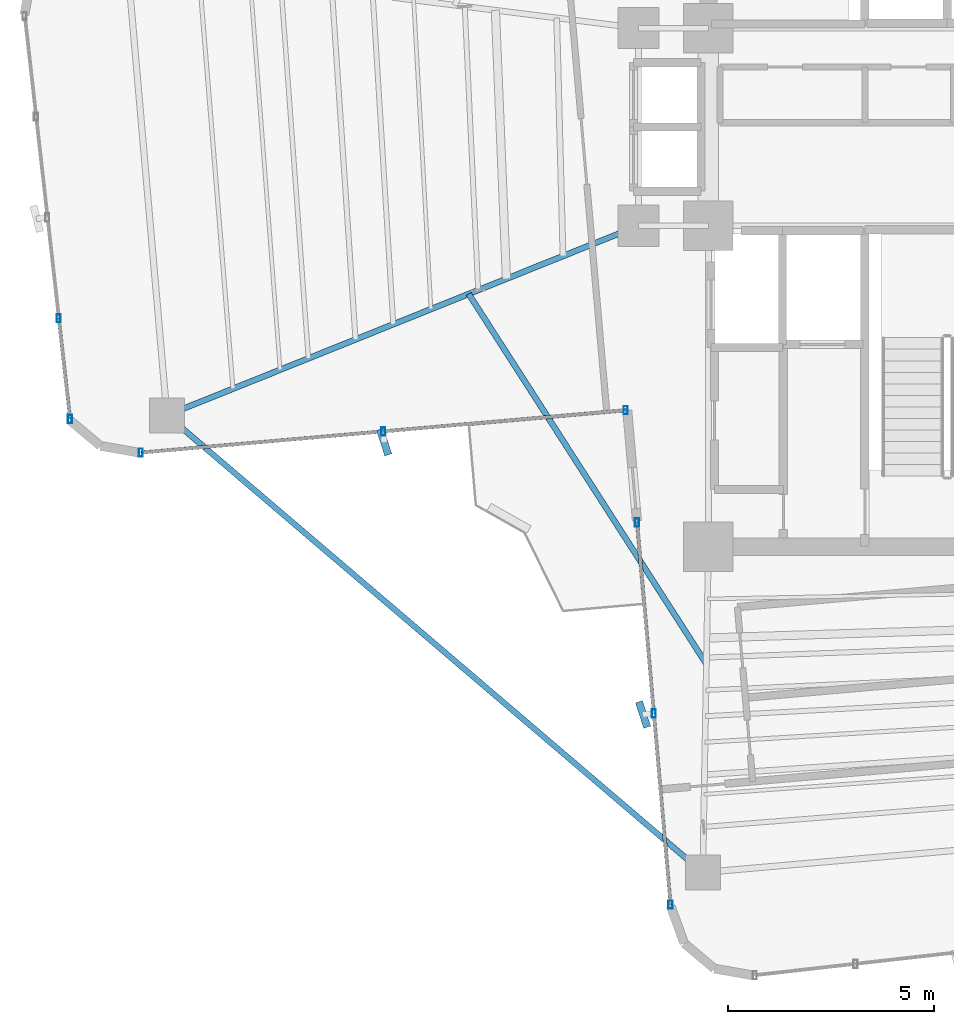
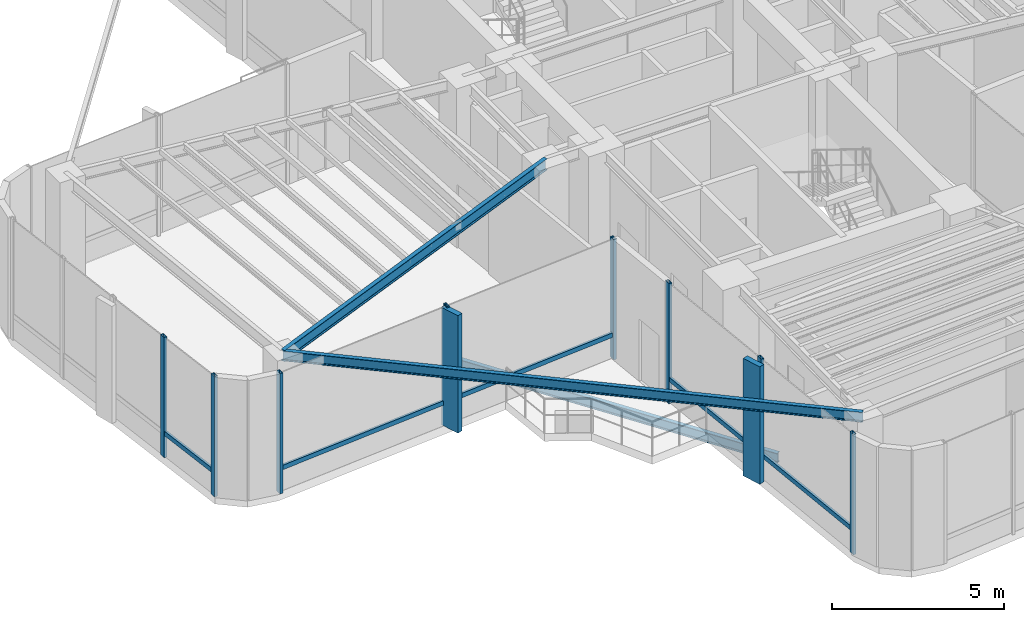
# One storey, part 2 of 19: 15 members, 3 beams, 3 elements without a shape of their own.
"""IFC4 building model written with IfcOpenShell, lengths in metres."""

import ifcopenshell
import ifcopenshell.guid

model = None  # the IFC model being written
_history = None  # IfcOwnerHistory: only IFC2X3 demands one
_inside = {}  # id of a spatial element -> (the spatial element, [elements in it])
_under = {}  # id of a project, library or spatial element -> (it, [spatial elements below it])
_declared = {}  # id of a project -> (the project, [libraries it declares])
_typed = {}  # id of a type object -> (the type object, [elements of that type])
_made_of = {}  # id of a material, layer set ... -> (it, [elements and type objects made of it])


def new_model(schema):
    """Start an empty IFC model of exactly this schema.

    Asked for "IFC4X3", IfcOpenShell would pick the latest addendum, in which some entities
    have other attributes; the version numbers below select the first issue.
    IFC2X3 requires an IfcOwnerHistory on every rooted entity: one is made here for all.
    """
    global model, _history
    if schema == "IFC4X3":
        model = ifcopenshell.file(schema_version=(4, 3, 0, 0))
    else:
        model = ifcopenshell.file(schema=schema)
    _inside.clear()
    _under.clear()
    _declared.clear()
    _typed.clear()
    _made_of.clear()
    _history = None
    if model.schema == "IFC2X3":
        org = make("IfcOrganization", Name="unknown")
        user = make(
            "IfcPersonAndOrganization",
            ThePerson=make("IfcPerson", FamilyName="unknown"),
            TheOrganization=org,
        )
        app = make(
            "IfcApplication",
            ApplicationDeveloper=org,
            Version="unknown",
            ApplicationFullName="unknown",
            ApplicationIdentifier="unknown",
        )
        _history = make(
            "IfcOwnerHistory",
            OwningUser=user,
            OwningApplication=app,
            ChangeAction="ADDED",
            CreationDate=0,
        )
    return model


def make(cls, **values):
    """One entity of the class cls with the attributes given. An attribute that is None is left unset."""
    return model.create_entity(
        cls, **{name: value for name, value in values.items() if value is not None}
    )


def rooted(cls, **values):
    """An entity with a GlobalId (a new one), such as an element, a storey or a relation."""
    return make(cls, GlobalId=ifcopenshell.guid.new(), OwnerHistory=_history, **values)


def si_unit(unit_type, name, prefix=None):
    """IfcSIUnit, for example si_unit("LENGTHUNIT", "METRE", prefix="MILLI")."""
    return make("IfcSIUnit", UnitType=unit_type, Prefix=prefix, Name=name)


def assignment(units):
    """IfcUnitAssignment: the units of a project."""
    return None if units is None else make("IfcUnitAssignment", Units=units)


def point(xyz):
    """IfcCartesianPoint."""
    return None if xyz is None else make("IfcCartesianPoint", Coordinates=xyz)


def direction(xyz):
    """IfcDirection."""
    return None if xyz is None else make("IfcDirection", DirectionRatios=xyz)


def frame(location, z_axis=None, x_axis=None):
    """IfcAxis2Placement3D, a coordinate frame: its origin and axes. An axis left out is left unset."""
    return make(
        "IfcAxis2Placement3D",
        Location=point(location),
        Axis=direction(z_axis),
        RefDirection=direction(x_axis),
    )


def frame_2d(location, x_axis=None):
    """IfcAxis2Placement2D, a coordinate frame in the plane: its origin and x axis."""
    return make(
        "IfcAxis2Placement2D", Location=point(location), RefDirection=direction(x_axis)
    )


def origin():
    """The frame at (0, 0, 0) with its axes left unset."""
    return frame((0.0, 0.0, 0.0))


def origin_2d():
    """The frame at (0, 0) in the plane with its x axis left unset."""
    return frame_2d((0.0, 0.0))


def place(relative_to, where):
    """IfcLocalPlacement: puts the frame where relative to a parent placement (None: the world)."""
    return make(
        "IfcLocalPlacement", PlacementRelTo=relative_to, RelativePlacement=where
    )


def context(
    kind, dimensions, precision=None, world=None, true_north=None, identifier=None
):
    """IfcGeometricRepresentationContext, for example the 3D "Model" context."""
    return make(
        "IfcGeometricRepresentationContext",
        ContextIdentifier=identifier,
        ContextType=kind,
        CoordinateSpaceDimension=dimensions,
        Precision=precision,
        WorldCoordinateSystem=world,
        TrueNorth=true_north,
    )


def subcontext(parent, identifier, kind, view, scale=None):
    """IfcGeometricRepresentationSubContext, for example "Body" below "Model"."""
    return make(
        "IfcGeometricRepresentationSubContext",
        ContextIdentifier=identifier,
        ContextType=kind,
        ParentContext=parent,
        TargetScale=scale,
        TargetView=view,
    )


def project(units=None, contexts=None):
    """IfcProject with its units and contexts."""
    return rooted(
        "IfcProject",
        Name="project",
        RepresentationContexts=contexts,
        UnitsInContext=assignment(units),
    )


def spatial(cls, under=None, at=None, **own):
    """A site, building, storey or space (cls), placed at a placement, below another one or the project."""
    s = rooted(cls, ObjectPlacement=at, **own)
    if under is not None:
        _under.setdefault(under.id(), (under, []))[1].append(s)
    return s


def profile(cls, at=None, kind="AREA", **sizes):
    """A parametric profile (cls). Its sizes go by their IFC names, for example OverallWidth=200.0."""
    return make(cls, ProfileType=kind, Position=at, **sizes)


def rectangle(**sizes):
    """IfcRectangleProfileDef."""
    return profile("IfcRectangleProfileDef", **sizes)


def hollow_rectangle(**sizes):
    """IfcRectangleHollowProfileDef."""
    return profile("IfcRectangleHollowProfileDef", **sizes)


def i_section(**sizes):
    """IfcIShapeProfileDef."""
    return profile("IfcIShapeProfileDef", **sizes)


def extrude(swept, where, along, depth):
    """IfcExtrudedAreaSolid: the profile swept, set in the frame where, extruded along a direction by depth."""
    return make(
        "IfcExtrudedAreaSolid",
        SweptArea=swept,
        Position=where,
        ExtrudedDirection=direction(along),
        Depth=depth,
    )


def shape(context_of_items, identifier, shape_type, items):
    """IfcShapeRepresentation: the items that make up one representation, for example the "Body"."""
    return make(
        "IfcShapeRepresentation",
        ContextOfItems=context_of_items,
        RepresentationIdentifier=identifier,
        RepresentationType=shape_type,
        Items=items,
    )


def source(mapping_origin, context_of_items, identifier, shape_type, items):
    """IfcRepresentationMap: a shape defined once, which mapped items show again and again."""
    return make(
        "IfcRepresentationMap",
        MappingOrigin=mapping_origin,
        MappedRepresentation=shape(context_of_items, identifier, shape_type, items),
    )


def transform(
    local_origin,
    x_axis=None,
    y_axis=None,
    z_axis=None,
    scale=None,
    scale2=None,
    scale3=None,
    uniform=True,
):
    """IfcCartesianTransformationOperator3D, or its non-uniform kind. x_axis, y_axis, z_axis: its Axis1, 2, 3."""
    if uniform:
        return make(
            "IfcCartesianTransformationOperator3D",
            Axis1=direction(x_axis),
            Axis2=direction(y_axis),
            LocalOrigin=point(local_origin),
            Scale=scale,
            Axis3=direction(z_axis),
        )
    return make(
        "IfcCartesianTransformationOperator3DnonUniform",
        Axis1=direction(x_axis),
        Axis2=direction(y_axis),
        LocalOrigin=point(local_origin),
        Scale=scale,
        Axis3=direction(z_axis),
        Scale2=scale2,
        Scale3=scale3,
    )


def mapped(mapping_source, mapping_target):
    """IfcMappedItem: shows the shape of a source again, moved by a transform."""
    return make(
        "IfcMappedItem", MappingSource=mapping_source, MappingTarget=mapping_target
    )


def material(Name=None, Category=None):
    """IfcMaterial."""
    return make("IfcMaterial", Name=Name, Category=Category)


def material_profile(
    of_material, cross_section, Name=None, Category=None, Priority=None
):
    """IfcMaterialProfile: a cross section and its material."""
    return make(
        "IfcMaterialProfile",
        Name=Name,
        Material=of_material,
        Profile=cross_section,
        Priority=Priority,
        Category=Category,
    )


def profile_set(profiles, Name=None, composite=None):
    """IfcMaterialProfileSet."""
    return make(
        "IfcMaterialProfileSet",
        Name=Name,
        MaterialProfiles=profiles,
        CompositeProfile=composite,
    )


def made_of(thing, what):
    """Note that an element or type object is made of a material, layer set ...; save() writes the relation."""
    if what is not None:
        _made_of.setdefault(what.id(), (what, []))[1].append(thing)
    return thing


def type_object(cls, material=None, **own):
    """A type object (cls), such as IfcWallType, which elements share."""
    return made_of(rooted(cls, **own), material)


def element(
    cls,
    number,
    at=None,
    inside=None,
    cuts=None,
    type_object=None,
    material=None,
    context=None,
    identifier="Body",
    shape_type=None,
    held_by="IfcProductDefinitionShape",
    body=None,
    shapes=None,
    **own,
):
    """One element of the class cls, such as IfcWall. Its Tag is "e" and its number.

    at: its placement. inside: the storey or other place that contains it. cuts: it is an
    opening in that element (IfcRelVoidsElement). A single representation is given by context,
    identifier, shape_type and body (its items); several are given by shapes. held_by: the class
    of the entity that holds the representations. save() writes the other relations.
    """
    e = rooted(cls, Tag="e%d" % number, ObjectPlacement=at, **own)
    if body is not None:
        shapes = [shape(context, identifier, shape_type, body)]
    if shapes is not None:
        e.Representation = make(held_by, Representations=shapes)
    if inside is not None:
        _inside.setdefault(inside.id(), (inside, []))[1].append(e)
    if cuts is not None:
        rooted(
            "IfcRelVoidsElement", RelatingBuildingElement=cuts, RelatedOpeningElement=e
        )
    if type_object is not None:
        _typed.setdefault(type_object.id(), (type_object, []))[1].append(e)
    return made_of(e, material)


def aggregate(whole, parts):
    """IfcRelAggregates: a whole, such as a stair, and the parts it consists of."""
    return rooted("IfcRelAggregates", RelatingObject=whole, RelatedObjects=parts)


def save(model, path):
    """Write the relations noted so far, then the file.

    IfcRelAggregates (storeys below a building ...), IfcRelContainedInSpatialStructure (elements
    in a storey), IfcRelDefinesByType, IfcRelAssociatesMaterial and IfcRelDeclares: one each for
    every whole, place, type object, material and project.
    """
    for whole, parts in _under.values():
        aggregate(whole, parts)
    for where, things in _inside.values():
        rooted(
            "IfcRelContainedInSpatialStructure",
            RelatedElements=things,
            RelatingStructure=where,
        )
    for kind, things in _typed.values():
        rooted("IfcRelDefinesByType", RelatedObjects=things, RelatingType=kind)
    for what, things in _made_of.values():
        rooted("IfcRelAssociatesMaterial", RelatedObjects=things, RelatingMaterial=what)
    for by, libraries in _declared.values():
        rooted("IfcRelDeclares", RelatingContext=by, RelatedDefinitions=libraries)
    model.write(path)


model = new_model("IFC4")

# Units and contexts
model_context = context("Model", 3, precision=1e-05, world=origin(), true_north=direction((0.0, 1.0)))
body_context = subcontext(model_context, "Body", "Model", "MODEL_VIEW")
ifc_project = project(units=[si_unit("LENGTHUNIT", "METRE"), si_unit("AREAUNIT", "SQUARE_METRE"), si_unit("VOLUMEUNIT", "CUBIC_METRE"), si_unit("PLANEANGLEUNIT", "RADIAN"), si_unit("MASSUNIT", "GRAM", prefix="KILO")], contexts=[model_context])

# Site, building, storey
site_placement = place(None, origin())
site = spatial("IfcSite", under=ifc_project, at=site_placement, CompositionType="ELEMENT")
building_placement = place(site_placement, origin())
building = spatial("IfcBuilding", under=site, at=building_placement, Name="Sahyath Konkavel Grand Hotel", CompositionType="ELEMENT")
storey_placement = place(building_placement, frame((0.0, 0.0, 170.699951171875)))
storey = spatial("IfcBuildingStorey", under=building, at=storey_placement, Name="L47", CompositionType="ELEMENT", Elevation=170.699951171875)

# Beams
ifc_material_1 = material(Name="Steel E350", Category="steel")
ifc_material_profile_1 = material_profile(ifc_material_1, i_section(OverallWidth=0.139892578125, OverallDepth=0.39990234375, WebThickness=0.0087890625, FlangeThickness=0.01611328125, FilletRadius=0.013916015625, at=origin_2d()), Name="ISMB 400")
ifc_profile_set_1 = profile_set([ifc_material_profile_1], Name="Steel E350")
beam_type_1 = type_object("IfcBeamType", Name="BM-ISMB400", PredefinedType="BEAM", material=ifc_profile_set_1)
shared_shape_1 = source(origin(), body_context, "Body", "SweptSolid", [
    extrude(i_section(OverallWidth=0.139892578125, OverallDepth=0.39990234375, WebThickness=0.0087890625, FlangeThickness=0.01611328125, FilletRadius=0.013916015625, at=origin_2d()), origin(), (0.0, 0.0, 1.0), 12.344970703125),
])
beam_1_placement = place(storey_placement, frame((-5.5, -2.39990234375, 4.06005859375), z_axis=(-0.927837014101, -0.372985891507, 0.0), x_axis=(0.372985891507, -0.927837014101, 0.0)))
element("IfcBeam", 1, at=beam_1_placement, inside=storey, type_object=beam_type_1, Name="L47 Cruciform Radial Girder WB", PredefinedType="BEAM", context=body_context, shape_type="MappedRepresentation", body=[
    mapped(shared_shape_1, transform((0.0, 0.0, 0.0), scale=1.0)),
])
ifc_material_profile_2 = material_profile(ifc_material_1, i_section(OverallWidth=0.139892578125, OverallDepth=0.35009765625, WebThickness=0.008056640625, FlangeThickness=0.01416015625, FilletRadius=0.013916015625, at=origin_2d()), Name="ISMB 350")
ifc_profile_set_2 = profile_set([ifc_material_profile_2], Name="Steel E350")
beam_type_2 = type_object("IfcBeamType", Name="BM-ISMB350", PredefinedType="BEAM", material=ifc_profile_set_2)
shared_shape_2 = source(origin(), body_context, "Body", "SweptSolid", [
    extrude(i_section(OverallWidth=0.139892578125, OverallDepth=0.35009765625, WebThickness=0.008056640625, FlangeThickness=0.01416015625, FilletRadius=0.013916015625, at=origin_2d()), origin(), (0.0, 0.0, 1.0), 17.11279296875),
])
beam_2_placement = place(storey_placement, frame((-16.9541015625, -7.00439453125, 4.0849609375), z_axis=(0.760711911164, -0.649089661151, 0.0), x_axis=(0.649089661151, 0.760711911164, 0.0)))
element("IfcBeam", 2, at=beam_2_placement, inside=storey, type_object=beam_type_2, Name="L47 Re-Entrant Tie Beam SW", PredefinedType="BEAM", context=body_context, shape_type="MappedRepresentation", body=[
    mapped(shared_shape_2, transform((0.0, 0.0, 0.0), scale=1.0)),
])

# Curtain wall, members
ifc_material_2 = material(Name="Anodised Bronze Aluminium & Low-E Glazing", Category="aluminium")
curtain_wall_type = type_object("IfcCurtainWallType", Name="CW-SKYLOBBY", PredefinedType="NOTDEFINED", material=ifc_material_2)
curtain_wall_1_placement = place(storey_placement, origin())
curtain_wall_1 = element("IfcCurtainWall", 3, at=curtain_wall_1_placement, inside=storey, type_object=curtain_wall_type, Name="L47 Unitised Curtain Wall F20", PredefinedType="NOTDEFINED")
ifc_material_3 = material(Name="Anodised Bronze Aluminium", Category="aluminium")
ifc_material_profile_3 = material_profile(ifc_material_3, hollow_rectangle(XDim=0.10009765625, YDim=0.199951171875, WallThickness=0.008056640625, at=origin_2d()), Name="RHS 200x100x8")
ifc_profile_set_3 = profile_set([ifc_material_profile_3], Name="Anodised Bronze Aluminium")
member_type_1 = type_object("IfcMemberType", Name="CW-MUL-200", PredefinedType="MULLION", material=ifc_profile_set_3)
shared_shape_3 = source(origin(), body_context, "Body", "SweptSolid", [
    extrude(hollow_rectangle(XDim=0.10009765625, YDim=0.199951171875, WallThickness=0.008056640625, at=origin_2d()), origin(), (0.0, 0.0, 1.0), 4.260009765625),
])
member_1_placement = place(storey_placement, frame((-19.583984375, -4.648193359375, 0.0), z_axis=(0.0, 0.0, 1.0), x_axis=(1.0, 0.0, 0.0)))
member_1 = element("IfcMember", 4, at=member_1_placement, type_object=member_type_1, Name="L47 Curtain Wall Mullion F20-3", PredefinedType="MULLION", context=body_context, shape_type="MappedRepresentation", body=[
    mapped(shared_shape_3, transform((0.0, 0.0, 0.0), scale=1.0)),
])
member_2_placement = place(storey_placement, frame((-19.308349609375, -7.094970703125, 0.0), z_axis=(0.0, 0.0, 1.0), x_axis=(1.0, 0.0, 0.0)))
member_2 = element("IfcMember", 5, at=member_2_placement, type_object=member_type_1, Name="L47 Curtain Wall Mullion F20-4", PredefinedType="MULLION", context=body_context, shape_type="MappedRepresentation", body=[
    mapped(shared_shape_3, transform((0.0, 0.0, 0.0), scale=1.0)),
])

curtain_wall_2_placement = place(storey_placement, origin())
curtain_wall_2 = element("IfcCurtainWall", 6, at=curtain_wall_2_placement, inside=storey, type_object=curtain_wall_type, Name="L47 Unitised Curtain Wall F23", PredefinedType="NOTDEFINED")
member_3_placement = place(storey_placement, frame((-17.58740234375, -7.912841796875, 0.0), z_axis=(0.0, 0.0, 1.0), x_axis=(1.0, 0.0, 0.0)))
member_3 = element("IfcMember", 7, at=member_3_placement, type_object=member_type_1, Name="L47 Curtain Wall Mullion F23-0", PredefinedType="MULLION", context=body_context, shape_type="MappedRepresentation", body=[
    mapped(shared_shape_3, transform((0.0, 0.0, 0.0), scale=1.0)),
])
member_4_placement = place(storey_placement, frame((-11.69970703125, -7.39794921875, 0.0), z_axis=(0.0, 0.0, 1.0), x_axis=(1.0, 0.0, 0.0)))
member_4 = element("IfcMember", 8, at=member_4_placement, type_object=member_type_1, Name="L47 Curtain Wall Mullion F23-1", PredefinedType="MULLION", context=body_context, shape_type="MappedRepresentation", body=[
    mapped(shared_shape_3, transform((0.0, 0.0, 0.0), scale=1.0)),
])
member_5_placement = place(storey_placement, frame((-5.812255859375, -6.8828125, 0.0), z_axis=(0.0, 0.0, 1.0), x_axis=(1.0, 0.0, 0.0)))
member_5 = element("IfcMember", 9, at=member_5_placement, type_object=member_type_1, Name="L47 Curtain Wall Mullion F23-2", PredefinedType="MULLION", context=body_context, shape_type="MappedRepresentation", body=[
    mapped(shared_shape_3, transform((0.0, 0.0, 0.0), scale=1.0)),
])

curtain_wall_3_placement = place(storey_placement, origin())
curtain_wall_3 = element("IfcCurtainWall", 10, at=curtain_wall_3_placement, inside=storey, type_object=curtain_wall_type, Name="L47 Unitised Curtain Wall F24", PredefinedType="NOTDEFINED")
member_6_placement = place(storey_placement, frame((-5.53369140625, -9.60888671875, 0.0), z_axis=(0.0, 0.0, 1.0), x_axis=(1.0, 0.0, 0.0)))
member_6 = element("IfcMember", 11, at=member_6_placement, type_object=member_type_1, Name="L47 Curtain Wall Mullion F24-0", PredefinedType="MULLION", context=body_context, shape_type="MappedRepresentation", body=[
    mapped(shared_shape_3, transform((0.0, 0.0, 0.0), scale=1.0)),
])
member_7_placement = place(storey_placement, frame((-5.12744140625, -14.251220703125, 0.0), z_axis=(0.0, 0.0, 1.0), x_axis=(1.0, 0.0, 0.0)))
member_7 = element("IfcMember", 12, at=member_7_placement, type_object=member_type_1, Name="L47 Curtain Wall Mullion F24-1", PredefinedType="MULLION", context=body_context, shape_type="MappedRepresentation", body=[
    mapped(shared_shape_3, transform((0.0, 0.0, 0.0), scale=1.0)),
])
member_8_placement = place(storey_placement, frame((-4.72119140625, -18.893310546875, 0.0), z_axis=(0.0, 0.0, 1.0), x_axis=(1.0, 0.0, 0.0)))
member_8 = element("IfcMember", 13, at=member_8_placement, type_object=member_type_1, Name="L47 Curtain Wall Mullion F24-2", PredefinedType="MULLION", context=body_context, shape_type="MappedRepresentation", body=[
    mapped(shared_shape_3, transform((0.0, 0.0, 0.0), scale=1.0)),
])

# Member
ifc_material_4 = material(Name="Warm Buff Sandstone Cladding on Concrete C50/60", Category="masonry")
ifc_material_profile_4 = material_profile(ifc_material_4, rectangle(XDim=0.179931640625, YDim=0.64990234375, at=origin_2d()), Name="FIN 180x650")
ifc_profile_set_4 = profile_set([ifc_material_profile_4], Name="Warm Buff Sandstone Cladding on Concrete C50/60")
member_type_2 = type_object("IfcMemberType", Name="FIN-SANDSTONE-650", PredefinedType="MULLION", material=ifc_profile_set_4)
shared_shape_4 = source(origin(), body_context, "Body", "SweptSolid", [
    extrude(rectangle(XDim=0.179931640625, YDim=0.64990234375, at=origin_2d()), origin(), (0.0, 0.0, 1.0), 4.159912109375),
])
member_9_placement = place(storey_placement, frame((-11.677001953125, -7.656982421875, 0.050048828125), z_axis=(0.0, 0.0, 1.0), x_axis=(0.951808747363, 0.306692204733, 0.0)))
member_9 = element("IfcMember", 14, at=member_9_placement, type_object=member_type_2, Name="L47 Sandstone Vertical Solar Fin FIN F23-1", PredefinedType="MULLION", context=body_context, shape_type="MappedRepresentation", body=[
    mapped(shared_shape_4, transform((0.0, 0.0, 0.0), scale=1.0)),
])

member_10_placement = place(storey_placement, frame((-5.386474609375, -14.273681640625, 0.050048828125), z_axis=(0.0, 0.0, 1.0), x_axis=(0.951808747363, 0.306692204733, 0.0)))
member_10 = element("IfcMember", 15, at=member_10_placement, type_object=member_type_2, Name="L47 Sandstone Vertical Solar Fin FIN F24-1", PredefinedType="MULLION", context=body_context, shape_type="MappedRepresentation", body=[
    mapped(shared_shape_4, transform((0.0, 0.0, 0.0), scale=1.0)),
])

ifc_material_profile_5 = material_profile(ifc_material_3, hollow_rectangle(XDim=0.080078125, YDim=0.159912109375, WallThickness=0.006103515625, at=origin_2d()), Name="RHS 160x80x6")
ifc_profile_set_5 = profile_set([ifc_material_profile_5], Name="Anodised Bronze Aluminium")
member_type_3 = type_object("IfcMemberType", Name="CW-TRN-160", PredefinedType="USERDEFINED", material=ifc_profile_set_5)
shared_shape_5 = source(origin(), body_context, "Body", "SweptSolid", [
    extrude(hollow_rectangle(XDim=0.080078125, YDim=0.159912109375, WallThickness=0.006103515625, at=origin_2d()), origin(), (0.0, 0.0, 1.0), 2.462158203125),
])
member_11_placement = place(storey_placement, frame((-19.583984375, -4.648193359375, 0.85009765625), z_axis=(0.11194409079, -0.993714506555, 0.0), x_axis=(0.993714506555, 0.11194409079, 0.0)))
member_11 = element("IfcMember", 16, at=member_11_placement, type_object=member_type_3, Name="L47 Curtain Wall Transom F20-3-spandrel", ObjectType="TRANSOM", PredefinedType="USERDEFINED", context=body_context, shape_type="MappedRepresentation", body=[
    mapped(shared_shape_5, transform((0.0, 0.0, 0.0), scale=1.0)),
])

aggregate(curtain_wall_1, [member_1, member_2, member_11])

shared_shape_6 = source(origin(), body_context, "Body", "SweptSolid", [
    extrude(hollow_rectangle(XDim=0.080078125, YDim=0.159912109375, WallThickness=0.006103515625, at=origin_2d()), origin(), (0.0, 0.0, 1.0), 5.91015625),
])
member_12_placement = place(storey_placement, frame((-17.58740234375, -7.912841796875, 0.85009765625), z_axis=(0.996197841474, 0.087119806256, 0.0), x_axis=(-0.087119806256, 0.996197841474, 0.0)))
member_12 = element("IfcMember", 17, at=member_12_placement, type_object=member_type_3, Name="L47 Curtain Wall Transom F23-0-spandrel", ObjectType="TRANSOM", PredefinedType="USERDEFINED", context=body_context, shape_type="MappedRepresentation", body=[
    mapped(shared_shape_6, transform((0.0, 0.0, 0.0), scale=1.0)),
])

shared_shape_7 = source(origin(), body_context, "Body", "SweptSolid", [
    extrude(hollow_rectangle(XDim=0.080078125, YDim=0.159912109375, WallThickness=0.006103515625, at=origin_2d()), origin(), (0.0, 0.0, 1.0), 5.909912109375),
])
member_13_placement = place(storey_placement, frame((-11.69970703125, -7.39794921875, 0.85009765625), z_axis=(0.996193941691, 0.087164388014, 0.0), x_axis=(-0.087164388014, 0.996193941691, 0.0)))
member_13 = element("IfcMember", 18, at=member_13_placement, type_object=member_type_3, Name="L47 Curtain Wall Transom F23-1-spandrel", ObjectType="TRANSOM", PredefinedType="USERDEFINED", context=body_context, shape_type="MappedRepresentation", body=[
    mapped(shared_shape_7, transform((0.0, 0.0, 0.0), scale=1.0)),
])

aggregate(curtain_wall_2, [member_3, member_4, member_9, member_5, member_12, member_13])

shared_shape_8 = source(origin(), body_context, "Body", "SweptSolid", [
    extrude(hollow_rectangle(XDim=0.080078125, YDim=0.159912109375, WallThickness=0.006103515625, at=origin_2d()), origin(), (0.0, 0.0, 1.0), 4.66015625),
])
member_14_placement = place(storey_placement, frame((-5.53369140625, -9.60888671875, 0.85009765625), z_axis=(0.087176698736, -0.996192864458, 0.0), x_axis=(0.996192864458, 0.087176698736, 0.0)))
member_14 = element("IfcMember", 19, at=member_14_placement, type_object=member_type_3, Name="L47 Curtain Wall Transom F24-0-spandrel", ObjectType="TRANSOM", PredefinedType="USERDEFINED", context=body_context, shape_type="MappedRepresentation", body=[
    mapped(shared_shape_8, transform((0.0, 0.0, 0.0), scale=1.0)),
])

shared_shape_9 = source(origin(), body_context, "Body", "SweptSolid", [
    extrude(hollow_rectangle(XDim=0.080078125, YDim=0.159912109375, WallThickness=0.006103515625, at=origin_2d()), origin(), (0.0, 0.0, 1.0), 4.659912109375),
])
member_15_placement = place(storey_placement, frame((-5.12744140625, -14.251220703125, 0.85009765625), z_axis=(0.087181248758, -0.996192466276, 0.0), x_axis=(0.996192466276, 0.087181248758, 0.0)))
member_15 = element("IfcMember", 20, at=member_15_placement, type_object=member_type_3, Name="L47 Curtain Wall Transom F24-1-spandrel", ObjectType="TRANSOM", PredefinedType="USERDEFINED", context=body_context, shape_type="MappedRepresentation", body=[
    mapped(shared_shape_9, transform((0.0, 0.0, 0.0), scale=1.0)),
])

aggregate(curtain_wall_3, [member_6, member_7, member_10, member_8, member_14, member_15])

# Beam
ifc_material_profile_6 = material_profile(ifc_material_1, i_section(OverallWidth=0.139892578125, OverallDepth=0.35009765625, WebThickness=0.008056640625, FlangeThickness=0.01416015625, FilletRadius=0.013916015625, at=origin_2d()), Name="ISMB 350")
ifc_profile_set_6 = profile_set([ifc_material_profile_6], Name="Steel E350")
beam_type_3 = type_object("IfcBeamType", Name="BM-BALC-CANT", PredefinedType="BEAM", material=ifc_profile_set_6)
shared_shape_10 = source(origin(), body_context, "Body", "SweptSolid", [
    extrude(i_section(OverallWidth=0.139892578125, OverallDepth=0.35009765625, WebThickness=0.008056640625, FlangeThickness=0.01416015625, FilletRadius=0.013916015625, at=origin_2d()), origin(), (0.0, 0.0, 1.0), 10.685302734375),
])
beam_3_placement = place(storey_placement, frame((-9.62353515625, -4.0576171875, -0.474853515625), z_axis=(0.540404181048, -0.841405562797, 0.0), x_axis=(0.841405562797, 0.540404181048, 0.0)))
element("IfcBeam", 21, at=beam_3_placement, inside=storey, type_object=beam_type_3, Name="L47 Balcony Cantilever Support Beam SW", PredefinedType="BEAM", context=body_context, shape_type="MappedRepresentation", body=[
    mapped(shared_shape_10, transform((0.0, 0.0, 0.0), scale=1.0)),
])

save(model, "model.ifc")
